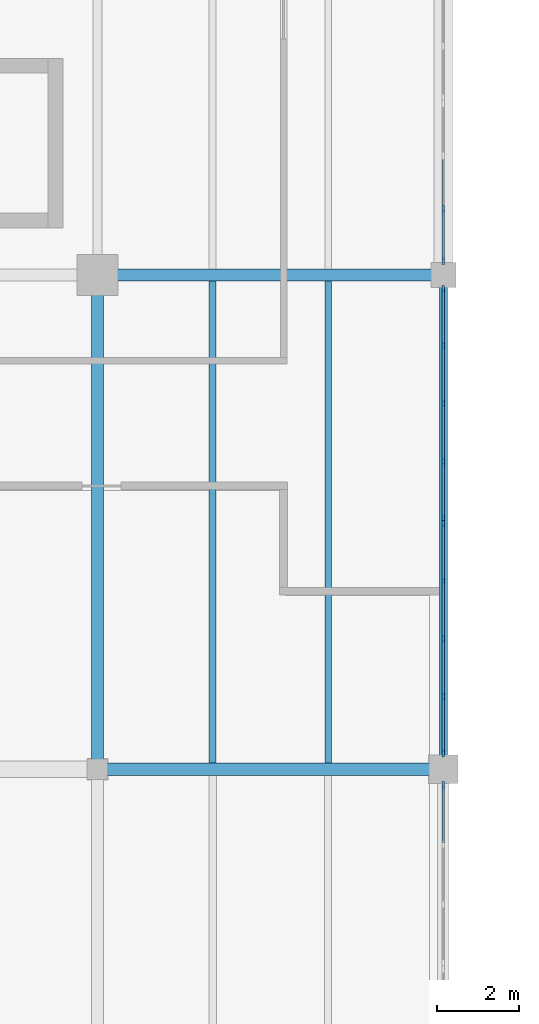
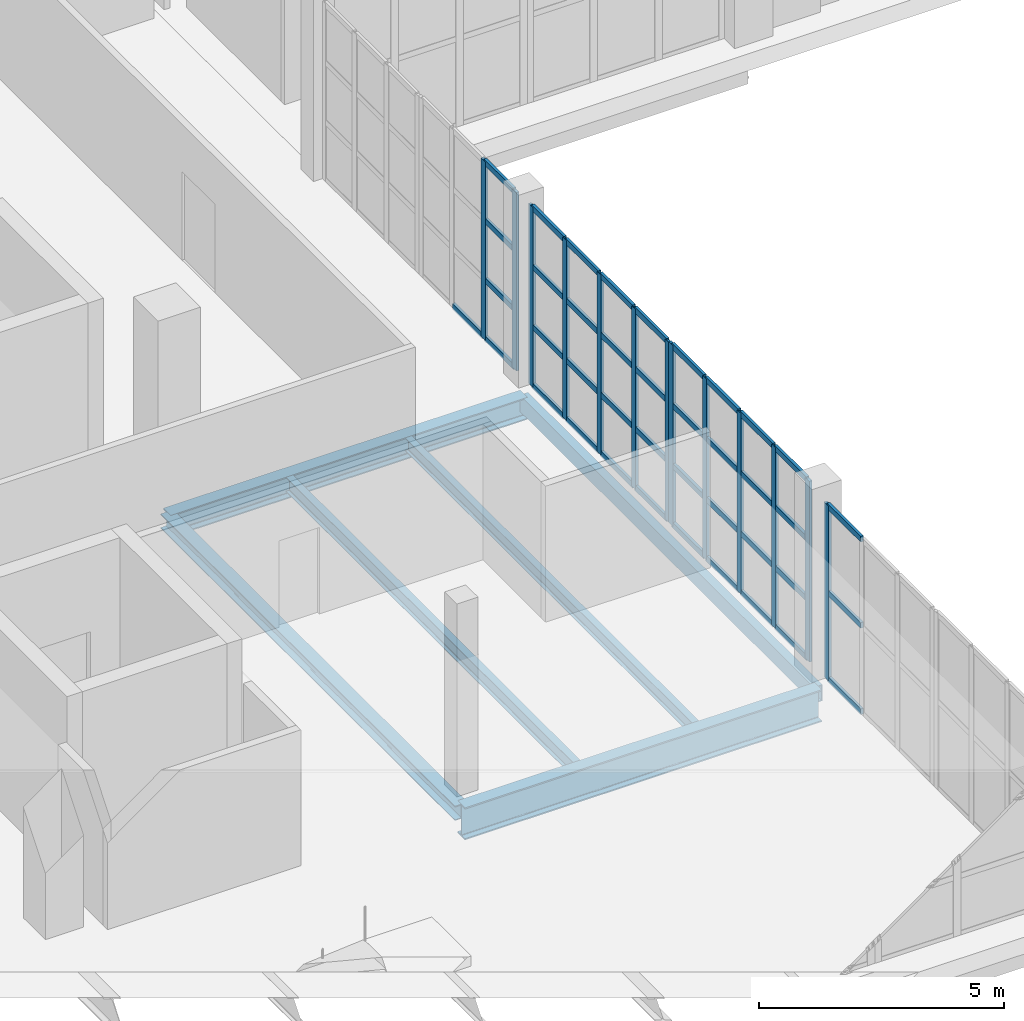
# One storey, part 9 of 121: 53 members, 6 beams, 4 elements without a shape of their own.
"""IFC4 building model written with IfcOpenShell, lengths in metres."""

from ifc_helpers import new_model, si_unit, direction, frame, origin, origin_2d, place, context, subcontext, project, spatial, rectangle, hollow_rectangle, i_section, extrude, material, layer, layer_set, material_profile, profile_set, type_object, element, aggregate, save


model = new_model("IFC4")

# Units and contexts
model_context = context("Model", 3, precision=1e-05, world=origin(), true_north=direction((0.0, 1.0)))
body_context = subcontext(model_context, "Body", "Model", "MODEL_VIEW")
ifc_project = project(units=[si_unit("LENGTHUNIT", "METRE"), si_unit("AREAUNIT", "SQUARE_METRE"), si_unit("VOLUMEUNIT", "CUBIC_METRE"), si_unit("PLANEANGLEUNIT", "RADIAN"), si_unit("MASSUNIT", "GRAM", prefix="KILO")], contexts=[model_context])

# Site, building, storey
site_placement = place(None, origin())
site = spatial("IfcSite", under=ifc_project, at=site_placement, CompositionType="ELEMENT")
building_placement = place(site_placement, origin())
building = spatial("IfcBuilding", under=site, at=building_placement, Name="Zereglee Splitstone Museum", CompositionType="ELEMENT")
storey_placement = place(building_placement, origin())
storey = spatial("IfcBuildingStorey", under=building, at=storey_placement, Name="L00", CompositionType="ELEMENT", Elevation=0.0)

# Curtain wall, member
ifc_material_1 = material(Name="Triple-glazed low-E argon glass and bronze-anodised aluminium", Category="aluminium")
ifc_layer_1 = layer(ifc_material_1, 0.179931640625)
ifc_layer_set_1 = layer_set([ifc_layer_1], Name="Triple-glazed low-E argon glass and bronze-anodised aluminium")
curtain_wall_type_1 = type_object("IfcCurtainWallType", Name="CW-0439-436", PredefinedType="USERDEFINED", material=ifc_layer_set_1)
curtain_wall_1_placement = place(storey_placement, origin())
curtain_wall_1 = element("IfcCurtainWall", 1, at=curtain_wall_1_placement, inside=storey, type_object=curtain_wall_type_1, Name="Glazed Curtain Wall CW-0439-436 (L00)", ObjectType="GLAZED CURTAIN WALL", PredefinedType="USERDEFINED")
ifc_material_2 = material(Name="Thermally broken bronze-anodised aluminium", Category="aluminium")
ifc_material_profile_1 = material_profile(ifc_material_2, rectangle(XDim=0.06494140625, YDim=0.179931640625, at=origin_2d()), Name="CW MULL 65x180")
ifc_profile_set_1 = profile_set([ifc_material_profile_1], Name="Thermally broken bronze-anodised aluminium")
member_type_1 = type_object("IfcMemberType", Name="CWM-01", PredefinedType="MULLION", material=ifc_profile_set_1)
member_1_placement = place(storey_placement, frame((48.0, 9.20947265625, 0.0), z_axis=(0.0, 0.0, 1.0), x_axis=(-1.0, 0.0, 0.0)))
member_1 = element("IfcMember", 2, at=member_1_placement, type_object=member_type_1, Name="CW-0439-436 mullion 4", PredefinedType="MULLION", context=body_context, shape_type="SweptSolid", body=[
    extrude(rectangle(XDim=0.06494140625, YDim=0.179931640625, at=origin_2d()), origin(), (0.0, 0.0, 1.0), 4.360107421875),
])

# Curtain wall, members
ifc_layer_2 = layer(ifc_material_1, 0.179931640625)
ifc_layer_set_2 = layer_set([ifc_layer_2], Name="Triple-glazed low-E argon glass and bronze-anodised aluminium")
curtain_wall_type_2 = type_object("IfcCurtainWallType", Name="CW-0563-450", PredefinedType="USERDEFINED", material=ifc_layer_set_2)
curtain_wall_2_placement = place(storey_placement, origin())
curtain_wall_2 = element("IfcCurtainWall", 3, at=curtain_wall_2_placement, inside=storey, type_object=curtain_wall_type_2, Name="Glazed Curtain Wall CW-0563-450 (L00)", ObjectType="GLAZED CURTAIN WALL", PredefinedType="USERDEFINED")
member_2_placement = place(storey_placement, frame((48.0, 9.990478515625, 0.0), z_axis=(0.0, 0.0, 1.0), x_axis=(-1.0, 0.0, 0.0)))
member_2 = element("IfcMember", 4, at=member_2_placement, type_object=member_type_1, Name="CW-0563-450 mullion 1", PredefinedType="MULLION", context=body_context, shape_type="SweptSolid", body=[
    extrude(rectangle(XDim=0.06494140625, YDim=0.179931640625, at=origin_2d()), origin(), (0.0, 0.0, 1.0), 4.5),
])
member_3_placement = place(storey_placement, frame((48.0, 11.36474609375, 0.0), z_axis=(0.0, 0.0, 1.0), x_axis=(-1.0, 0.0, 0.0)))
member_3 = element("IfcMember", 5, at=member_3_placement, type_object=member_type_1, Name="CW-0563-450 mullion 2", PredefinedType="MULLION", context=body_context, shape_type="SweptSolid", body=[
    extrude(rectangle(XDim=0.06494140625, YDim=0.179931640625, at=origin_2d()), origin(), (0.0, 0.0, 1.0), 4.5),
])
member_4_placement = place(storey_placement, frame((48.0, 12.771484375, 0.0), z_axis=(0.0, 0.0, 1.0), x_axis=(-1.0, 0.0, 0.0)))
member_4 = element("IfcMember", 6, at=member_4_placement, type_object=member_type_1, Name="CW-0563-450 mullion 3", PredefinedType="MULLION", context=body_context, shape_type="SweptSolid", body=[
    extrude(rectangle(XDim=0.06494140625, YDim=0.179931640625, at=origin_2d()), origin(), (0.0, 0.0, 1.0), 4.5),
])
member_5_placement = place(storey_placement, frame((48.0, 14.17822265625, 0.0), z_axis=(0.0, 0.0, 1.0), x_axis=(-1.0, 0.0, 0.0)))
member_5 = element("IfcMember", 7, at=member_5_placement, type_object=member_type_1, Name="CW-0563-450 mullion 4", PredefinedType="MULLION", context=body_context, shape_type="SweptSolid", body=[
    extrude(rectangle(XDim=0.06494140625, YDim=0.179931640625, at=origin_2d()), origin(), (0.0, 0.0, 1.0), 4.5),
])
member_6_placement = place(storey_placement, frame((48.0, 15.552490234375, 0.0), z_axis=(0.0, 0.0, 1.0), x_axis=(-1.0, 0.0, 0.0)))
member_6 = element("IfcMember", 8, at=member_6_placement, type_object=member_type_1, Name="CW-0563-450 mullion 5", PredefinedType="MULLION", context=body_context, shape_type="SweptSolid", body=[
    extrude(rectangle(XDim=0.06494140625, YDim=0.179931640625, at=origin_2d()), origin(), (0.0, 0.0, 1.0), 4.5),
])

ifc_layer_3 = layer(ifc_material_1, 0.179931640625)
ifc_layer_set_3 = layer_set([ifc_layer_3], Name="Triple-glazed low-E argon glass and bronze-anodised aluminium")
curtain_wall_type_3 = type_object("IfcCurtainWallType", Name="CW-0563-448", PredefinedType="USERDEFINED", material=ifc_layer_set_3)
curtain_wall_3_placement = place(storey_placement, origin())
curtain_wall_3 = element("IfcCurtainWall", 9, at=curtain_wall_3_placement, inside=storey, type_object=curtain_wall_type_3, Name="Glazed Curtain Wall CW-0563-448 (L00)", ObjectType="GLAZED CURTAIN WALL", PredefinedType="USERDEFINED")
member_7_placement = place(storey_placement, frame((48.0, 15.697509765625, 0.0), z_axis=(0.0, 0.0, 1.0), x_axis=(-1.0, 0.0, 0.0)))
member_7 = element("IfcMember", 10, at=member_7_placement, type_object=member_type_1, Name="CW-0563-448 mullion 1", PredefinedType="MULLION", context=body_context, shape_type="SweptSolid", body=[
    extrude(rectangle(XDim=0.06494140625, YDim=0.179931640625, at=origin_2d()), origin(), (0.0, 0.0, 1.0), 4.47998046875),
])
member_8_placement = place(storey_placement, frame((48.0, 17.07177734375, 0.0), z_axis=(0.0, 0.0, 1.0), x_axis=(-1.0, 0.0, 0.0)))
member_8 = element("IfcMember", 11, at=member_8_placement, type_object=member_type_1, Name="CW-0563-448 mullion 2", PredefinedType="MULLION", context=body_context, shape_type="SweptSolid", body=[
    extrude(rectangle(XDim=0.06494140625, YDim=0.179931640625, at=origin_2d()), origin(), (0.0, 0.0, 1.0), 4.47998046875),
])
member_9_placement = place(storey_placement, frame((48.0, 18.478515625, 0.0), z_axis=(0.0, 0.0, 1.0), x_axis=(-1.0, 0.0, 0.0)))
member_9 = element("IfcMember", 12, at=member_9_placement, type_object=member_type_1, Name="CW-0563-448 mullion 3", PredefinedType="MULLION", context=body_context, shape_type="SweptSolid", body=[
    extrude(rectangle(XDim=0.06494140625, YDim=0.179931640625, at=origin_2d()), origin(), (0.0, 0.0, 1.0), 4.47998046875),
])
member_10_placement = place(storey_placement, frame((48.0, 19.88525390625, 0.0), z_axis=(0.0, 0.0, 1.0), x_axis=(-1.0, 0.0, 0.0)))
member_10 = element("IfcMember", 13, at=member_10_placement, type_object=member_type_1, Name="CW-0563-448 mullion 4", PredefinedType="MULLION", context=body_context, shape_type="SweptSolid", body=[
    extrude(rectangle(XDim=0.06494140625, YDim=0.179931640625, at=origin_2d()), origin(), (0.0, 0.0, 1.0), 4.47998046875),
])
member_11_placement = place(storey_placement, frame((48.0, 21.259521484375, 0.0), z_axis=(0.0, 0.0, 1.0), x_axis=(-1.0, 0.0, 0.0)))
member_11 = element("IfcMember", 14, at=member_11_placement, type_object=member_type_1, Name="CW-0563-448 mullion 5", PredefinedType="MULLION", context=body_context, shape_type="SweptSolid", body=[
    extrude(rectangle(XDim=0.06494140625, YDim=0.179931640625, at=origin_2d()), origin(), (0.0, 0.0, 1.0), 4.47998046875),
])

ifc_layer_4 = layer(ifc_material_1, 0.179931640625)
ifc_layer_set_4 = layer_set([ifc_layer_4], Name="Triple-glazed low-E argon glass and bronze-anodised aluminium")
curtain_wall_type_4 = type_object("IfcCurtainWallType", Name="CW-0388-444", PredefinedType="USERDEFINED", material=ifc_layer_set_4)
curtain_wall_4_placement = place(storey_placement, origin())
curtain_wall_4 = element("IfcCurtainWall", 15, at=curtain_wall_4_placement, inside=storey, type_object=curtain_wall_type_4, Name="Glazed Curtain Wall CW-0388-444 (L00)", ObjectType="GLAZED CURTAIN WALL", PredefinedType="USERDEFINED")
member_12_placement = place(storey_placement, frame((48.0, 21.9404296875, 0.0), z_axis=(0.0, 0.0, 1.0), x_axis=(-1.0, 0.0, 0.0)))
member_12 = element("IfcMember", 16, at=member_12_placement, type_object=member_type_1, Name="CW-0388-444 mullion 1", PredefinedType="MULLION", context=body_context, shape_type="SweptSolid", body=[
    extrude(rectangle(XDim=0.06494140625, YDim=0.179931640625, at=origin_2d()), origin(), (0.0, 0.0, 1.0), 4.43994140625),
])
member_13_placement = place(storey_placement, frame((48.0, 23.200439453125, 0.0), z_axis=(0.0, 0.0, 1.0), x_axis=(-1.0, 0.0, 0.0)))
member_13 = element("IfcMember", 17, at=member_13_placement, type_object=member_type_1, Name="CW-0388-444 mullion 2", PredefinedType="MULLION", context=body_context, shape_type="SweptSolid", body=[
    extrude(rectangle(XDim=0.06494140625, YDim=0.179931640625, at=origin_2d()), origin(), (0.0, 0.0, 1.0), 4.43994140625),
])

# Member
ifc_material_profile_2 = material_profile(ifc_material_2, rectangle(XDim=0.06494140625, YDim=0.139892578125, at=origin_2d()), Name="CW TRAN 65x140")
ifc_profile_set_2 = profile_set([ifc_material_profile_2], Name="Thermally broken bronze-anodised aluminium")
member_type_2 = type_object("IfcMemberType", Name="CWT-01", PredefinedType="USERDEFINED", material=ifc_profile_set_2)
member_14_placement = place(storey_placement, frame((48.0, 7.811279296875, 0.032470703125), z_axis=(0.0, 1.0, 0.0), x_axis=(-1.0, 0.0, 0.0)))
member_14 = element("IfcMember", 18, at=member_14_placement, type_object=member_type_2, Name="CW-0439-436 transom 3.1", ObjectType="TRANSOM", PredefinedType="USERDEFINED", context=body_context, shape_type="SweptSolid", body=[
    extrude(rectangle(XDim=0.06494140625, YDim=0.139892578125, at=origin_2d()), origin(), (0.0, 0.0, 1.0), 1.36572265625),
])

member_15_placement = place(storey_placement, frame((48.0, 7.811279296875, 2.179931640625), z_axis=(0.0, 1.0, 0.0), x_axis=(-1.0, 0.0, 0.0)))
member_15 = element("IfcMember", 19, at=member_15_placement, type_object=member_type_2, Name="CW-0439-436 transom 3.2", ObjectType="TRANSOM", PredefinedType="USERDEFINED", context=body_context, shape_type="SweptSolid", body=[
    extrude(rectangle(XDim=0.06494140625, YDim=0.139892578125, at=origin_2d()), origin(), (0.0, 0.0, 1.0), 1.36572265625),
])

member_16_placement = place(storey_placement, frame((48.0, 7.811279296875, 4.327392578125), z_axis=(0.0, 1.0, 0.0), x_axis=(-1.0, 0.0, 0.0)))
member_16 = element("IfcMember", 20, at=member_16_placement, type_object=member_type_2, Name="CW-0439-436 transom 3.3", ObjectType="TRANSOM", PredefinedType="USERDEFINED", context=body_context, shape_type="SweptSolid", body=[
    extrude(rectangle(XDim=0.06494140625, YDim=0.139892578125, at=origin_2d()), origin(), (0.0, 0.0, 1.0), 1.36572265625),
])

aggregate(curtain_wall_1, [member_1, member_14, member_15, member_16])

member_17_placement = place(storey_placement, frame((48.0, 10.02294921875, 0.032470703125), z_axis=(0.0, 1.0, 0.0), x_axis=(-1.0, 0.0, 0.0)))
member_17 = element("IfcMember", 21, at=member_17_placement, type_object=member_type_2, Name="CW-0563-450 transom 1.1", ObjectType="TRANSOM", PredefinedType="USERDEFINED", context=body_context, shape_type="SweptSolid", body=[
    extrude(rectangle(XDim=0.06494140625, YDim=0.139892578125, at=origin_2d()), origin(), (0.0, 0.0, 1.0), 1.309326171875),
])

member_18_placement = place(storey_placement, frame((48.0, 10.02294921875, 1.5), z_axis=(0.0, 1.0, 0.0), x_axis=(-1.0, 0.0, 0.0)))
member_18 = element("IfcMember", 22, at=member_18_placement, type_object=member_type_2, Name="CW-0563-450 transom 1.2", ObjectType="TRANSOM", PredefinedType="USERDEFINED", context=body_context, shape_type="SweptSolid", body=[
    extrude(rectangle(XDim=0.06494140625, YDim=0.139892578125, at=origin_2d()), origin(), (0.0, 0.0, 1.0), 1.309326171875),
])

member_19_placement = place(storey_placement, frame((48.0, 10.02294921875, 3.0), z_axis=(0.0, 1.0, 0.0), x_axis=(-1.0, 0.0, 0.0)))
member_19 = element("IfcMember", 23, at=member_19_placement, type_object=member_type_2, Name="CW-0563-450 transom 1.3", ObjectType="TRANSOM", PredefinedType="USERDEFINED", context=body_context, shape_type="SweptSolid", body=[
    extrude(rectangle(XDim=0.06494140625, YDim=0.139892578125, at=origin_2d()), origin(), (0.0, 0.0, 1.0), 1.309326171875),
])

member_20_placement = place(storey_placement, frame((48.0, 10.02294921875, 4.467529296875), z_axis=(0.0, 1.0, 0.0), x_axis=(-1.0, 0.0, 0.0)))
member_20 = element("IfcMember", 24, at=member_20_placement, type_object=member_type_2, Name="CW-0563-450 transom 1.4", ObjectType="TRANSOM", PredefinedType="USERDEFINED", context=body_context, shape_type="SweptSolid", body=[
    extrude(rectangle(XDim=0.06494140625, YDim=0.139892578125, at=origin_2d()), origin(), (0.0, 0.0, 1.0), 1.309326171875),
])

member_21_placement = place(storey_placement, frame((48.0, 11.397216796875, 0.032470703125), z_axis=(0.0, 1.0, 0.0), x_axis=(-1.0, 0.0, 0.0)))
member_21 = element("IfcMember", 25, at=member_21_placement, type_object=member_type_2, Name="CW-0563-450 transom 2.1", ObjectType="TRANSOM", PredefinedType="USERDEFINED", context=body_context, shape_type="SweptSolid", body=[
    extrude(rectangle(XDim=0.06494140625, YDim=0.139892578125, at=origin_2d()), origin(), (0.0, 0.0, 1.0), 1.341796875),
])

member_22_placement = place(storey_placement, frame((48.0, 11.397216796875, 1.5), z_axis=(0.0, 1.0, 0.0), x_axis=(-1.0, 0.0, 0.0)))
member_22 = element("IfcMember", 26, at=member_22_placement, type_object=member_type_2, Name="CW-0563-450 transom 2.2", ObjectType="TRANSOM", PredefinedType="USERDEFINED", context=body_context, shape_type="SweptSolid", body=[
    extrude(rectangle(XDim=0.06494140625, YDim=0.139892578125, at=origin_2d()), origin(), (0.0, 0.0, 1.0), 1.341796875),
])

member_23_placement = place(storey_placement, frame((48.0, 11.397216796875, 3.0), z_axis=(0.0, 1.0, 0.0), x_axis=(-1.0, 0.0, 0.0)))
member_23 = element("IfcMember", 27, at=member_23_placement, type_object=member_type_2, Name="CW-0563-450 transom 2.3", ObjectType="TRANSOM", PredefinedType="USERDEFINED", context=body_context, shape_type="SweptSolid", body=[
    extrude(rectangle(XDim=0.06494140625, YDim=0.139892578125, at=origin_2d()), origin(), (0.0, 0.0, 1.0), 1.341796875),
])

member_24_placement = place(storey_placement, frame((48.0, 11.397216796875, 4.467529296875), z_axis=(0.0, 1.0, 0.0), x_axis=(-1.0, 0.0, 0.0)))
member_24 = element("IfcMember", 28, at=member_24_placement, type_object=member_type_2, Name="CW-0563-450 transom 2.4", ObjectType="TRANSOM", PredefinedType="USERDEFINED", context=body_context, shape_type="SweptSolid", body=[
    extrude(rectangle(XDim=0.06494140625, YDim=0.139892578125, at=origin_2d()), origin(), (0.0, 0.0, 1.0), 1.341796875),
])

member_25_placement = place(storey_placement, frame((48.0, 12.803955078125, 0.032470703125), z_axis=(0.0, 1.0, 0.0), x_axis=(-1.0, 0.0, 0.0)))
member_25 = element("IfcMember", 29, at=member_25_placement, type_object=member_type_2, Name="CW-0563-450 transom 3.1", ObjectType="TRANSOM", PredefinedType="USERDEFINED", context=body_context, shape_type="SweptSolid", body=[
    extrude(rectangle(XDim=0.06494140625, YDim=0.139892578125, at=origin_2d()), origin(), (0.0, 0.0, 1.0), 1.341796875),
])

member_26_placement = place(storey_placement, frame((48.0, 12.803955078125, 1.5), z_axis=(0.0, 1.0, 0.0), x_axis=(-1.0, 0.0, 0.0)))
member_26 = element("IfcMember", 30, at=member_26_placement, type_object=member_type_2, Name="CW-0563-450 transom 3.2", ObjectType="TRANSOM", PredefinedType="USERDEFINED", context=body_context, shape_type="SweptSolid", body=[
    extrude(rectangle(XDim=0.06494140625, YDim=0.139892578125, at=origin_2d()), origin(), (0.0, 0.0, 1.0), 1.341796875),
])

member_27_placement = place(storey_placement, frame((48.0, 12.803955078125, 3.0), z_axis=(0.0, 1.0, 0.0), x_axis=(-1.0, 0.0, 0.0)))
member_27 = element("IfcMember", 31, at=member_27_placement, type_object=member_type_2, Name="CW-0563-450 transom 3.3", ObjectType="TRANSOM", PredefinedType="USERDEFINED", context=body_context, shape_type="SweptSolid", body=[
    extrude(rectangle(XDim=0.06494140625, YDim=0.139892578125, at=origin_2d()), origin(), (0.0, 0.0, 1.0), 1.341796875),
])

member_28_placement = place(storey_placement, frame((48.0, 12.803955078125, 4.467529296875), z_axis=(0.0, 1.0, 0.0), x_axis=(-1.0, 0.0, 0.0)))
member_28 = element("IfcMember", 32, at=member_28_placement, type_object=member_type_2, Name="CW-0563-450 transom 3.4", ObjectType="TRANSOM", PredefinedType="USERDEFINED", context=body_context, shape_type="SweptSolid", body=[
    extrude(rectangle(XDim=0.06494140625, YDim=0.139892578125, at=origin_2d()), origin(), (0.0, 0.0, 1.0), 1.341796875),
])

member_29_placement = place(storey_placement, frame((48.0, 14.210693359375, 0.032470703125), z_axis=(0.0, 1.0, 0.0), x_axis=(-1.0, 0.0, 0.0)))
member_29 = element("IfcMember", 33, at=member_29_placement, type_object=member_type_2, Name="CW-0563-450 transom 4.1", ObjectType="TRANSOM", PredefinedType="USERDEFINED", context=body_context, shape_type="SweptSolid", body=[
    extrude(rectangle(XDim=0.06494140625, YDim=0.139892578125, at=origin_2d()), origin(), (0.0, 0.0, 1.0), 1.309326171875),
])

member_30_placement = place(storey_placement, frame((48.0, 14.210693359375, 1.5), z_axis=(0.0, 1.0, 0.0), x_axis=(-1.0, 0.0, 0.0)))
member_30 = element("IfcMember", 34, at=member_30_placement, type_object=member_type_2, Name="CW-0563-450 transom 4.2", ObjectType="TRANSOM", PredefinedType="USERDEFINED", context=body_context, shape_type="SweptSolid", body=[
    extrude(rectangle(XDim=0.06494140625, YDim=0.139892578125, at=origin_2d()), origin(), (0.0, 0.0, 1.0), 1.309326171875),
])

member_31_placement = place(storey_placement, frame((48.0, 14.210693359375, 3.0), z_axis=(0.0, 1.0, 0.0), x_axis=(-1.0, 0.0, 0.0)))
member_31 = element("IfcMember", 35, at=member_31_placement, type_object=member_type_2, Name="CW-0563-450 transom 4.3", ObjectType="TRANSOM", PredefinedType="USERDEFINED", context=body_context, shape_type="SweptSolid", body=[
    extrude(rectangle(XDim=0.06494140625, YDim=0.139892578125, at=origin_2d()), origin(), (0.0, 0.0, 1.0), 1.309326171875),
])

member_32_placement = place(storey_placement, frame((48.0, 14.210693359375, 4.467529296875), z_axis=(0.0, 1.0, 0.0), x_axis=(-1.0, 0.0, 0.0)))
member_32 = element("IfcMember", 36, at=member_32_placement, type_object=member_type_2, Name="CW-0563-450 transom 4.4", ObjectType="TRANSOM", PredefinedType="USERDEFINED", context=body_context, shape_type="SweptSolid", body=[
    extrude(rectangle(XDim=0.06494140625, YDim=0.139892578125, at=origin_2d()), origin(), (0.0, 0.0, 1.0), 1.309326171875),
])

aggregate(curtain_wall_2, [member_2, member_3, member_4, member_5, member_6, member_17, member_18, member_19, member_20, member_21, member_22, member_23, member_24, member_25, member_26, member_27, member_28, member_29, member_30, member_31, member_32])

member_33_placement = place(storey_placement, frame((48.0, 15.72998046875, 0.032470703125), z_axis=(0.0, 1.0, 0.0), x_axis=(-1.0, 0.0, 0.0)))
member_33 = element("IfcMember", 37, at=member_33_placement, type_object=member_type_2, Name="CW-0563-448 transom 1.1", ObjectType="TRANSOM", PredefinedType="USERDEFINED", context=body_context, shape_type="SweptSolid", body=[
    extrude(rectangle(XDim=0.06494140625, YDim=0.139892578125, at=origin_2d()), origin(), (0.0, 0.0, 1.0), 1.309326171875),
])

member_34_placement = place(storey_placement, frame((48.0, 15.72998046875, 1.493408203125), z_axis=(0.0, 1.0, 0.0), x_axis=(-1.0, 0.0, 0.0)))
member_34 = element("IfcMember", 38, at=member_34_placement, type_object=member_type_2, Name="CW-0563-448 transom 1.2", ObjectType="TRANSOM", PredefinedType="USERDEFINED", context=body_context, shape_type="SweptSolid", body=[
    extrude(rectangle(XDim=0.06494140625, YDim=0.139892578125, at=origin_2d()), origin(), (0.0, 0.0, 1.0), 1.309326171875),
])

member_35_placement = place(storey_placement, frame((48.0, 15.72998046875, 2.98681640625), z_axis=(0.0, 1.0, 0.0), x_axis=(-1.0, 0.0, 0.0)))
member_35 = element("IfcMember", 39, at=member_35_placement, type_object=member_type_2, Name="CW-0563-448 transom 1.3", ObjectType="TRANSOM", PredefinedType="USERDEFINED", context=body_context, shape_type="SweptSolid", body=[
    extrude(rectangle(XDim=0.06494140625, YDim=0.139892578125, at=origin_2d()), origin(), (0.0, 0.0, 1.0), 1.309326171875),
])

member_36_placement = place(storey_placement, frame((48.0, 15.72998046875, 4.447509765625), z_axis=(0.0, 1.0, 0.0), x_axis=(-1.0, 0.0, 0.0)))
member_36 = element("IfcMember", 40, at=member_36_placement, type_object=member_type_2, Name="CW-0563-448 transom 1.4", ObjectType="TRANSOM", PredefinedType="USERDEFINED", context=body_context, shape_type="SweptSolid", body=[
    extrude(rectangle(XDim=0.06494140625, YDim=0.139892578125, at=origin_2d()), origin(), (0.0, 0.0, 1.0), 1.309326171875),
])

member_37_placement = place(storey_placement, frame((48.0, 17.104248046875, 0.032470703125), z_axis=(0.0, 1.0, 0.0), x_axis=(-1.0, 0.0, 0.0)))
member_37 = element("IfcMember", 41, at=member_37_placement, type_object=member_type_2, Name="CW-0563-448 transom 2.1", ObjectType="TRANSOM", PredefinedType="USERDEFINED", context=body_context, shape_type="SweptSolid", body=[
    extrude(rectangle(XDim=0.06494140625, YDim=0.139892578125, at=origin_2d()), origin(), (0.0, 0.0, 1.0), 1.341796875),
])

member_38_placement = place(storey_placement, frame((48.0, 17.104248046875, 1.493408203125), z_axis=(0.0, 1.0, 0.0), x_axis=(-1.0, 0.0, 0.0)))
member_38 = element("IfcMember", 42, at=member_38_placement, type_object=member_type_2, Name="CW-0563-448 transom 2.2", ObjectType="TRANSOM", PredefinedType="USERDEFINED", context=body_context, shape_type="SweptSolid", body=[
    extrude(rectangle(XDim=0.06494140625, YDim=0.139892578125, at=origin_2d()), origin(), (0.0, 0.0, 1.0), 1.341796875),
])

member_39_placement = place(storey_placement, frame((48.0, 17.104248046875, 2.98681640625), z_axis=(0.0, 1.0, 0.0), x_axis=(-1.0, 0.0, 0.0)))
member_39 = element("IfcMember", 43, at=member_39_placement, type_object=member_type_2, Name="CW-0563-448 transom 2.3", ObjectType="TRANSOM", PredefinedType="USERDEFINED", context=body_context, shape_type="SweptSolid", body=[
    extrude(rectangle(XDim=0.06494140625, YDim=0.139892578125, at=origin_2d()), origin(), (0.0, 0.0, 1.0), 1.341796875),
])

member_40_placement = place(storey_placement, frame((48.0, 17.104248046875, 4.447509765625), z_axis=(0.0, 1.0, 0.0), x_axis=(-1.0, 0.0, 0.0)))
member_40 = element("IfcMember", 44, at=member_40_placement, type_object=member_type_2, Name="CW-0563-448 transom 2.4", ObjectType="TRANSOM", PredefinedType="USERDEFINED", context=body_context, shape_type="SweptSolid", body=[
    extrude(rectangle(XDim=0.06494140625, YDim=0.139892578125, at=origin_2d()), origin(), (0.0, 0.0, 1.0), 1.341796875),
])

member_41_placement = place(storey_placement, frame((48.0, 18.510986328125, 0.032470703125), z_axis=(0.0, 1.0, 0.0), x_axis=(-1.0, 0.0, 0.0)))
member_41 = element("IfcMember", 45, at=member_41_placement, type_object=member_type_2, Name="CW-0563-448 transom 3.1", ObjectType="TRANSOM", PredefinedType="USERDEFINED", context=body_context, shape_type="SweptSolid", body=[
    extrude(rectangle(XDim=0.06494140625, YDim=0.139892578125, at=origin_2d()), origin(), (0.0, 0.0, 1.0), 1.341796875),
])

member_42_placement = place(storey_placement, frame((48.0, 18.510986328125, 1.493408203125), z_axis=(0.0, 1.0, 0.0), x_axis=(-1.0, 0.0, 0.0)))
member_42 = element("IfcMember", 46, at=member_42_placement, type_object=member_type_2, Name="CW-0563-448 transom 3.2", ObjectType="TRANSOM", PredefinedType="USERDEFINED", context=body_context, shape_type="SweptSolid", body=[
    extrude(rectangle(XDim=0.06494140625, YDim=0.139892578125, at=origin_2d()), origin(), (0.0, 0.0, 1.0), 1.341796875),
])

member_43_placement = place(storey_placement, frame((48.0, 18.510986328125, 2.98681640625), z_axis=(0.0, 1.0, 0.0), x_axis=(-1.0, 0.0, 0.0)))
member_43 = element("IfcMember", 47, at=member_43_placement, type_object=member_type_2, Name="CW-0563-448 transom 3.3", ObjectType="TRANSOM", PredefinedType="USERDEFINED", context=body_context, shape_type="SweptSolid", body=[
    extrude(rectangle(XDim=0.06494140625, YDim=0.139892578125, at=origin_2d()), origin(), (0.0, 0.0, 1.0), 1.341796875),
])

member_44_placement = place(storey_placement, frame((48.0, 18.510986328125, 4.447509765625), z_axis=(0.0, 1.0, 0.0), x_axis=(-1.0, 0.0, 0.0)))
member_44 = element("IfcMember", 48, at=member_44_placement, type_object=member_type_2, Name="CW-0563-448 transom 3.4", ObjectType="TRANSOM", PredefinedType="USERDEFINED", context=body_context, shape_type="SweptSolid", body=[
    extrude(rectangle(XDim=0.06494140625, YDim=0.139892578125, at=origin_2d()), origin(), (0.0, 0.0, 1.0), 1.341796875),
])

member_45_placement = place(storey_placement, frame((48.0, 19.917724609375, 0.032470703125), z_axis=(0.0, 1.0, 0.0), x_axis=(-1.0, 0.0, 0.0)))
member_45 = element("IfcMember", 49, at=member_45_placement, type_object=member_type_2, Name="CW-0563-448 transom 4.1", ObjectType="TRANSOM", PredefinedType="USERDEFINED", context=body_context, shape_type="SweptSolid", body=[
    extrude(rectangle(XDim=0.06494140625, YDim=0.139892578125, at=origin_2d()), origin(), (0.0, 0.0, 1.0), 1.309326171875),
])

member_46_placement = place(storey_placement, frame((48.0, 19.917724609375, 1.493408203125), z_axis=(0.0, 1.0, 0.0), x_axis=(-1.0, 0.0, 0.0)))
member_46 = element("IfcMember", 50, at=member_46_placement, type_object=member_type_2, Name="CW-0563-448 transom 4.2", ObjectType="TRANSOM", PredefinedType="USERDEFINED", context=body_context, shape_type="SweptSolid", body=[
    extrude(rectangle(XDim=0.06494140625, YDim=0.139892578125, at=origin_2d()), origin(), (0.0, 0.0, 1.0), 1.309326171875),
])

member_47_placement = place(storey_placement, frame((48.0, 19.917724609375, 2.98681640625), z_axis=(0.0, 1.0, 0.0), x_axis=(-1.0, 0.0, 0.0)))
member_47 = element("IfcMember", 51, at=member_47_placement, type_object=member_type_2, Name="CW-0563-448 transom 4.3", ObjectType="TRANSOM", PredefinedType="USERDEFINED", context=body_context, shape_type="SweptSolid", body=[
    extrude(rectangle(XDim=0.06494140625, YDim=0.139892578125, at=origin_2d()), origin(), (0.0, 0.0, 1.0), 1.309326171875),
])

member_48_placement = place(storey_placement, frame((48.0, 19.917724609375, 4.447509765625), z_axis=(0.0, 1.0, 0.0), x_axis=(-1.0, 0.0, 0.0)))
member_48 = element("IfcMember", 52, at=member_48_placement, type_object=member_type_2, Name="CW-0563-448 transom 4.4", ObjectType="TRANSOM", PredefinedType="USERDEFINED", context=body_context, shape_type="SweptSolid", body=[
    extrude(rectangle(XDim=0.06494140625, YDim=0.139892578125, at=origin_2d()), origin(), (0.0, 0.0, 1.0), 1.309326171875),
])

aggregate(curtain_wall_3, [member_7, member_8, member_9, member_10, member_11, member_33, member_34, member_35, member_36, member_37, member_38, member_39, member_40, member_41, member_42, member_43, member_44, member_45, member_46, member_47, member_48])

member_49_placement = place(storey_placement, frame((48.0, 21.972900390625, 0.032470703125), z_axis=(0.0, 1.0, 0.0), x_axis=(-1.0, 0.0, 0.0)))
member_49 = element("IfcMember", 53, at=member_49_placement, type_object=member_type_2, Name="CW-0388-444 transom 1.1", ObjectType="TRANSOM", PredefinedType="USERDEFINED", context=body_context, shape_type="SweptSolid", body=[
    extrude(rectangle(XDim=0.06494140625, YDim=0.139892578125, at=origin_2d()), origin(), (0.0, 0.0, 1.0), 1.19482421875),
])

member_50_placement = place(storey_placement, frame((48.0, 21.972900390625, 1.47998046875), z_axis=(0.0, 1.0, 0.0), x_axis=(-1.0, 0.0, 0.0)))
member_50 = element("IfcMember", 54, at=member_50_placement, type_object=member_type_2, Name="CW-0388-444 transom 1.2", ObjectType="TRANSOM", PredefinedType="USERDEFINED", context=body_context, shape_type="SweptSolid", body=[
    extrude(rectangle(XDim=0.06494140625, YDim=0.139892578125, at=origin_2d()), origin(), (0.0, 0.0, 1.0), 1.19482421875),
])

member_51_placement = place(storey_placement, frame((48.0, 21.972900390625, 2.9599609375), z_axis=(0.0, 1.0, 0.0), x_axis=(-1.0, 0.0, 0.0)))
member_51 = element("IfcMember", 55, at=member_51_placement, type_object=member_type_2, Name="CW-0388-444 transom 1.3", ObjectType="TRANSOM", PredefinedType="USERDEFINED", context=body_context, shape_type="SweptSolid", body=[
    extrude(rectangle(XDim=0.06494140625, YDim=0.139892578125, at=origin_2d()), origin(), (0.0, 0.0, 1.0), 1.19482421875),
])

member_52_placement = place(storey_placement, frame((48.0, 21.972900390625, 4.407470703125), z_axis=(0.0, 1.0, 0.0), x_axis=(-1.0, 0.0, 0.0)))
member_52 = element("IfcMember", 56, at=member_52_placement, type_object=member_type_2, Name="CW-0388-444 transom 1.4", ObjectType="TRANSOM", PredefinedType="USERDEFINED", context=body_context, shape_type="SweptSolid", body=[
    extrude(rectangle(XDim=0.06494140625, YDim=0.139892578125, at=origin_2d()), origin(), (0.0, 0.0, 1.0), 1.19482421875),
])

member_53_placement = place(storey_placement, frame((48.0, 23.23291015625, 0.032470703125), z_axis=(0.0, 1.0, 0.0), x_axis=(-1.0, 0.0, 0.0)))
member_53 = element("IfcMember", 57, at=member_53_placement, type_object=member_type_2, Name="CW-0388-444 transom 2.1", ObjectType="TRANSOM", PredefinedType="USERDEFINED", context=body_context, shape_type="SweptSolid", body=[
    extrude(rectangle(XDim=0.06494140625, YDim=0.139892578125, at=origin_2d()), origin(), (0.0, 0.0, 1.0), 1.227294921875),
])

aggregate(curtain_wall_4, [member_12, member_13, member_49, member_50, member_51, member_52, member_53])

# Beams
ifc_material_3 = material(Name="Steel S355J2", Category="steel")
ifc_material_profile_3 = material_profile(ifc_material_3, i_section(OverallWidth=0.300048828125, OverallDepth=0.360107421875, WebThickness=0.012451171875, FlangeThickness=0.0224609375, FilletRadius=0.027099609375, at=origin_2d()), Name="HE 360 B")
ifc_profile_set_3 = profile_set([ifc_material_profile_3], Name="Steel S355J2")
beam_type_1 = type_object("IfcBeamType", Name="BG-14", PredefinedType="BEAM", material=ifc_profile_set_3)
beam_1_placement = place(storey_placement, frame((39.60009765625, 9.60009765625, -0.60009765625), z_axis=(0.0, 1.0, 0.0), x_axis=(-1.0, 0.0, 0.0)))
element("IfcBeam", 58, at=beam_1_placement, inside=storey, type_object=beam_type_1, Name="Primary Girder L00 6 (9.6-21.6)", PredefinedType="BEAM", context=body_context, shape_type="SweptSolid", body=[
    extrude(i_section(OverallWidth=0.300048828125, OverallDepth=0.360107421875, WebThickness=0.012451171875, FlangeThickness=0.0224609375, FilletRadius=0.027099609375, at=origin_2d()), origin(), (0.0, 0.0, 1.0), 12.0),
])
ifc_material_profile_4 = material_profile(ifc_material_3, i_section(OverallWidth=0.300048828125, OverallDepth=0.550048828125, WebThickness=0.014892578125, FlangeThickness=0.029052734375, FilletRadius=0.027099609375, at=origin_2d()), Name="HE 550 B")
ifc_profile_set_4 = profile_set([ifc_material_profile_4], Name="Steel S355J2")
beam_type_2 = type_object("IfcBeamType", Name="BG-11", PredefinedType="BEAM", material=ifc_profile_set_4)
beam_2_placement = place(storey_placement, frame((39.60009765625, 21.60009765625, -0.695068359375), z_axis=(1.0, 0.0, 0.0), x_axis=(0.0, 1.0, 0.0)))
element("IfcBeam", 59, at=beam_2_placement, inside=storey, type_object=beam_type_2, Name="Primary Girder L00 C (39.6-48.0)", PredefinedType="BEAM", context=body_context, shape_type="SweptSolid", body=[
    extrude(i_section(OverallWidth=0.300048828125, OverallDepth=0.550048828125, WebThickness=0.014892578125, FlangeThickness=0.029052734375, FilletRadius=0.027099609375, at=origin_2d()), origin(), (0.0, 0.0, 1.0), 8.39990234375),
])
ifc_material_profile_5 = material_profile(ifc_material_3, i_section(OverallWidth=0.300048828125, OverallDepth=0.800048828125, WebThickness=0.017578125, FlangeThickness=0.032958984375, FilletRadius=0.030029296875, at=origin_2d()), Name="HE 800 B")
ifc_profile_set_5 = profile_set([ifc_material_profile_5], Name="Steel S355J2")
beam_type_3 = type_object("IfcBeamType", Name="BG-07", PredefinedType="BEAM", material=ifc_profile_set_5)
beam_3_placement = place(storey_placement, frame((39.60009765625, 9.60009765625, -0.820068359375), z_axis=(1.0, 0.0, 0.0), x_axis=(0.0, 1.0, 0.0)))
element("IfcBeam", 60, at=beam_3_placement, inside=storey, type_object=beam_type_3, Name="Primary Girder L00 B (39.6-48.0)", PredefinedType="BEAM", context=body_context, shape_type="SweptSolid", body=[
    extrude(i_section(OverallWidth=0.300048828125, OverallDepth=0.800048828125, WebThickness=0.017578125, FlangeThickness=0.032958984375, FilletRadius=0.030029296875, at=origin_2d()), origin(), (0.0, 0.0, 1.0), 8.39990234375),
])
ifc_material_profile_6 = material_profile(ifc_material_3, i_section(OverallWidth=0.159912109375, OverallDepth=0.330078125, WebThickness=0.007568359375, FlangeThickness=0.011474609375, FilletRadius=0.01806640625, at=origin_2d()), Name="IPE 330")
ifc_profile_set_6 = profile_set([ifc_material_profile_6], Name="Steel S355J2")
beam_type_4 = type_object("IfcBeamType", Name="BJ-05", PredefinedType="JOIST", material=ifc_profile_set_6)
beam_4_placement = place(storey_placement, frame((45.199951171875, 9.75, -0.5849609375), z_axis=(0.0, 1.0, 0.0), x_axis=(-1.0, 0.0, 0.0)))
element("IfcBeam", 61, at=beam_4_placement, inside=storey, type_object=beam_type_4, Name="Secondary Floor Joist L00-0277", PredefinedType="JOIST", context=body_context, shape_type="SweptSolid", body=[
    extrude(i_section(OverallWidth=0.159912109375, OverallDepth=0.330078125, WebThickness=0.007568359375, FlangeThickness=0.011474609375, FilletRadius=0.01806640625, at=origin_2d()), origin(), (0.0, 0.0, 1.0), 11.699951171875),
])
ifc_material_profile_7 = material_profile(ifc_material_3, i_section(OverallWidth=0.169921875, OverallDepth=0.360107421875, WebThickness=0.008056640625, FlangeThickness=0.0126953125, FilletRadius=0.01806640625, at=origin_2d()), Name="IPE 360")
ifc_profile_set_7 = profile_set([ifc_material_profile_7], Name="Steel S355J2")
beam_type_5 = type_object("IfcBeamType", Name="BJ-04", PredefinedType="JOIST", material=ifc_profile_set_7)
beam_5_placement = place(storey_placement, frame((42.39990234375, 9.75, -0.60009765625), z_axis=(0.0, 1.0, 0.0), x_axis=(-1.0, 0.0, 0.0)))
element("IfcBeam", 62, at=beam_5_placement, inside=storey, type_object=beam_type_5, Name="Secondary Floor Joist L00-0276", PredefinedType="JOIST", context=body_context, shape_type="SweptSolid", body=[
    extrude(i_section(OverallWidth=0.169921875, OverallDepth=0.360107421875, WebThickness=0.008056640625, FlangeThickness=0.0126953125, FilletRadius=0.01806640625, at=origin_2d()), origin(), (0.0, 0.0, 1.0), 11.699951171875),
])
ifc_material_4 = material(Name="Steel S355J2H", Category="steel")
ifc_material_profile_8 = material_profile(ifc_material_4, hollow_rectangle(XDim=0.199951171875, YDim=0.39990234375, WallThickness=0.01611328125, at=origin_2d()), Name="RHS 400x200x16")
ifc_profile_set_8 = profile_set([ifc_material_profile_8], Name="Steel S355J2H")
beam_type_6 = type_object("IfcBeamType", Name="SP-04", PredefinedType="SPANDREL", material=ifc_profile_set_8)
beam_6_placement = place(storey_placement, frame((48.0, 9.60009765625, -0.6201171875), z_axis=(0.0, 1.0, 0.0), x_axis=(-1.0, 0.0, 0.0)))
element("IfcBeam", 63, at=beam_6_placement, inside=storey, type_object=beam_type_6, Name="Primary Girder L00 7 (9.6-21.6)", PredefinedType="SPANDREL", context=body_context, shape_type="SweptSolid", body=[
    extrude(hollow_rectangle(XDim=0.199951171875, YDim=0.39990234375, WallThickness=0.01611328125, at=origin_2d()), origin(), (0.0, 0.0, 1.0), 12.0),
])

save(model, "model.ifc")
